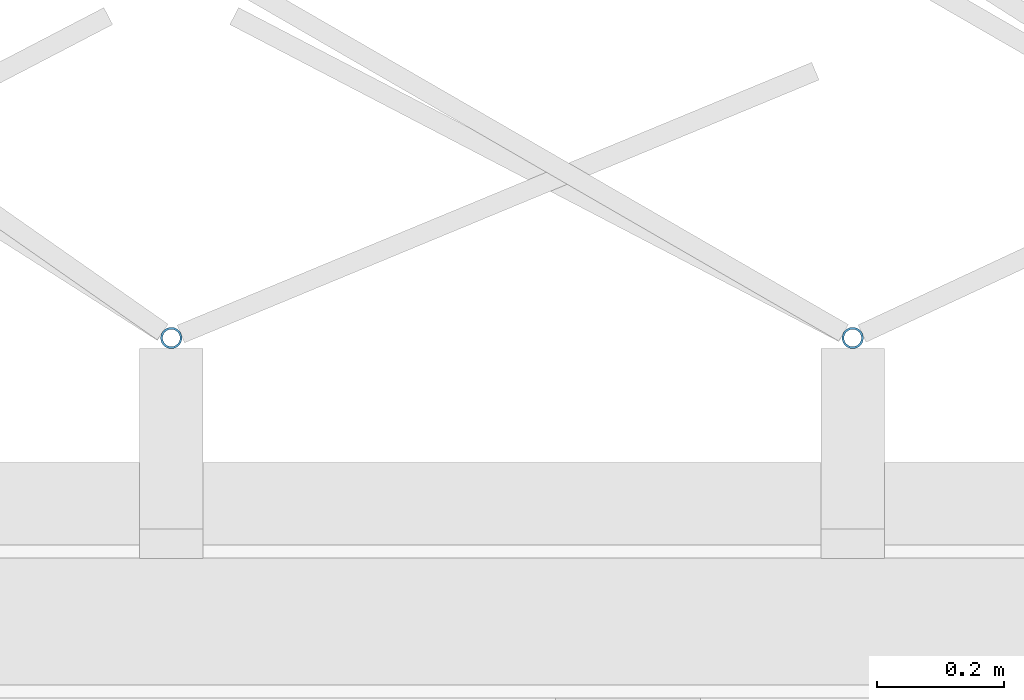
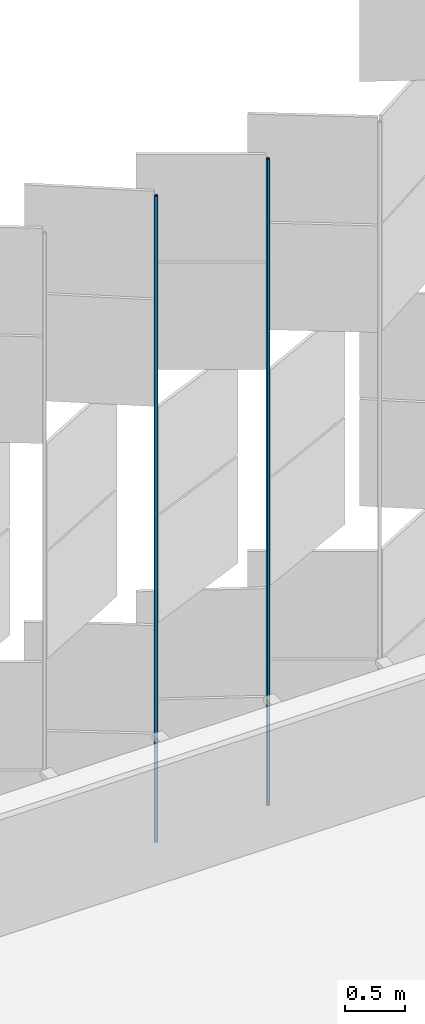
# One storey, part 355 of 483: 2 discrete accessories.
"""IFC4 building model written with IfcOpenShell, lengths in metres."""

from ifc_helpers import new_model, si_unit, direction, frame, origin, origin_2d, place, context, subcontext, project, spatial, hollow_circle, extrude, material, material_profile, profile_set, type_object, element, save


model = new_model("IFC4")

# Units and contexts
model_context = context("Model", 3, precision=1e-05, world=origin(), true_north=direction((0.0, 1.0)))
body_context = subcontext(model_context, "Body", "Model", "MODEL_VIEW")
ifc_project = project(units=[si_unit("LENGTHUNIT", "METRE"), si_unit("AREAUNIT", "SQUARE_METRE"), si_unit("VOLUMEUNIT", "CUBIC_METRE"), si_unit("PLANEANGLEUNIT", "RADIAN"), si_unit("MASSUNIT", "GRAM", prefix="KILO")], contexts=[model_context])

# Site, building, storey
site_placement = place(None, origin())
site = spatial("IfcSite", under=ifc_project, at=site_placement, CompositionType="ELEMENT")
building_placement = place(site_placement, origin())
building = spatial("IfcBuilding", under=site, at=building_placement, Name="Parallax Yard Mobility Hub", CompositionType="ELEMENT")
storey_placement = place(building_placement, frame((0.0, 0.0, 13.199951171875)))
storey = spatial("IfcBuildingStorey", under=building, at=storey_placement, Name="L04", CompositionType="ELEMENT", Elevation=13.199951171875)

# Discrete accessories
ifc_material = material(Name="Steel ASTM A500 Gr C, hot-dip galvanised", Category="steel")
ifc_material_profile = material_profile(ifc_material, hollow_circle(Radius=0.016845703125, WallThickness=0.003173828125, at=origin_2d()), Name="CHS 33.7x3.2")
ifc_profile_set = profile_set([ifc_material_profile], Name="Steel ASTM A500 Gr C, hot-dip galvanised")
discrete_accessory_type = type_object("IfcDiscreteAccessoryType", Name="Hinge post CHS 33.7x3.2", PredefinedType="BRACKET", material=ifc_profile_set)
for number, where, z_axis, x_axis, name in (
    (1, (125.353515625, 142.800048828125, 0.0), (0.0, 0.0, 1.0), (1.0, 0.0, 0.0), "Hinge post bay 57.3 level L04"),
    (2, (124.281982421875, 142.800048828125, 0.0), (0.0, 0.0, 1.0), (1.0, 0.0, 0.0), "Hinge post bay 57.4 level L04"),
):
    element("IfcDiscreteAccessory", number, at=place(storey_placement, frame(where, z_axis=z_axis, x_axis=x_axis)), inside=storey, type_object=discrete_accessory_type, Name=name, PredefinedType="BRACKET", context=body_context, shape_type="SweptSolid", body=[
        extrude(hollow_circle(Radius=0.016845703125, WallThickness=0.003173828125, at=origin_2d()), origin(), (0.0, 0.0, 1.0), 6.550048828125),
    ])

save(model, "model.ifc")
